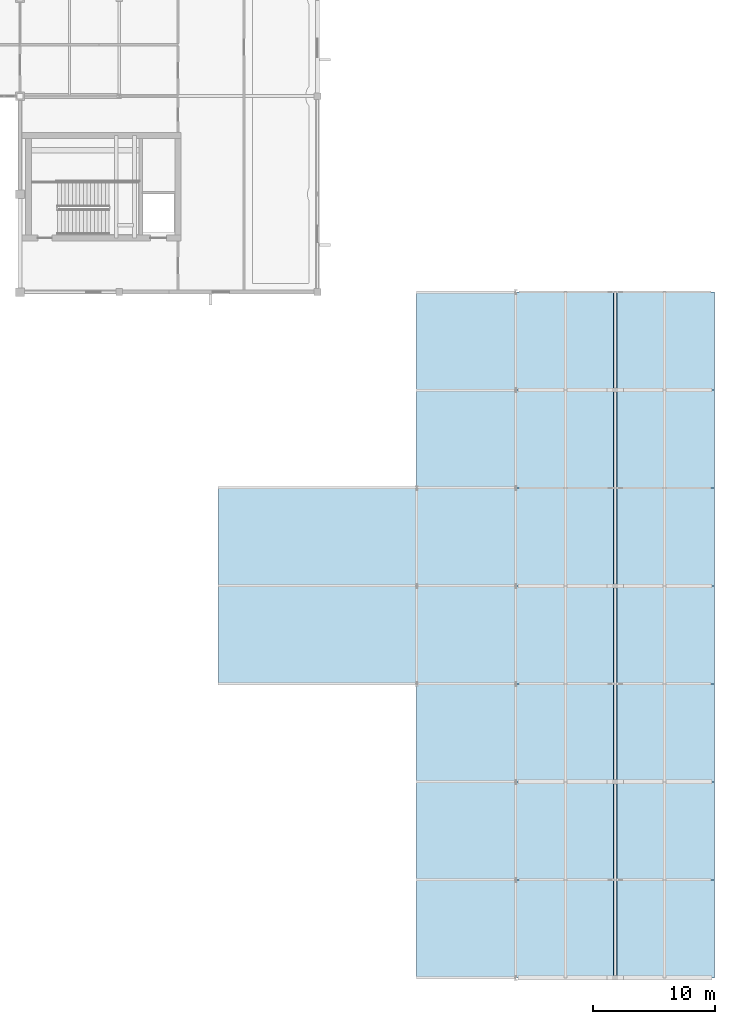
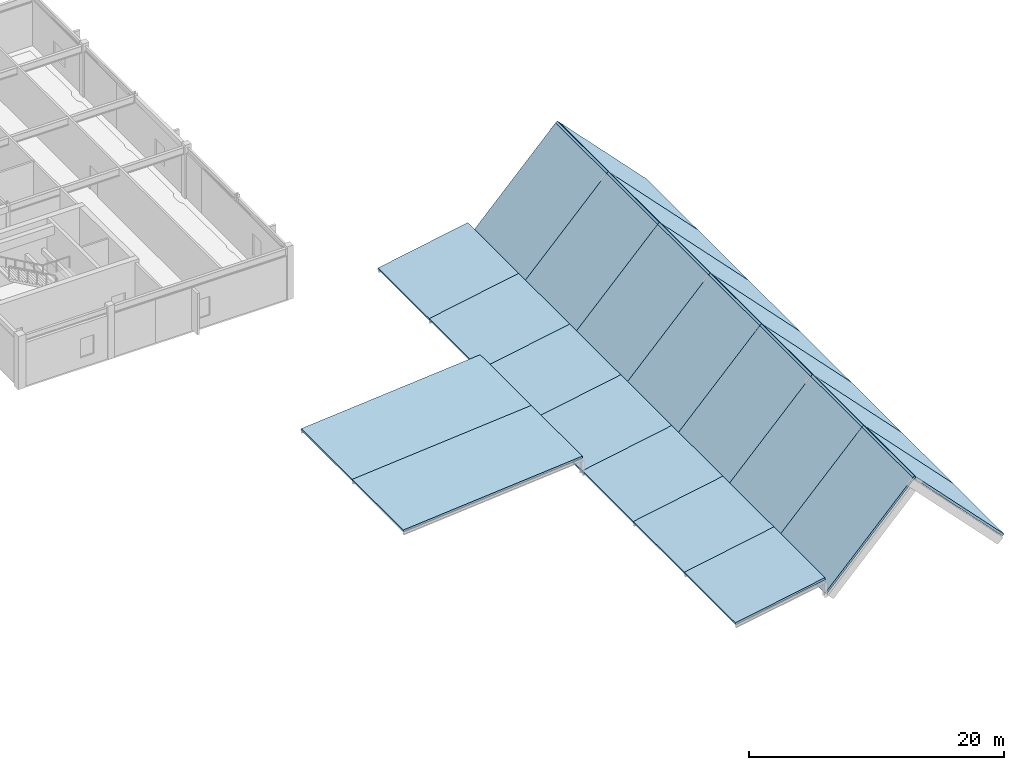
# One storey, part 81 of 107: 23 slabs.
"""IFC4 building model written with IfcOpenShell, lengths in metres."""

from ifc_helpers import new_model, si_unit, direction, frame, origin, place, context, subcontext, project, spatial, polyline, outline, extrude, material, layer, layer_set, type_object, element, save


model = new_model("IFC4")

# Units and contexts
model_context = context("Model", 3, precision=1e-05, world=origin(), true_north=direction((0.0, 1.0)))
body_context = subcontext(model_context, "Body", "Model", "MODEL_VIEW")
ifc_project = project(units=[si_unit("LENGTHUNIT", "METRE"), si_unit("AREAUNIT", "SQUARE_METRE"), si_unit("VOLUMEUNIT", "CUBIC_METRE"), si_unit("PLANEANGLEUNIT", "RADIAN"), si_unit("MASSUNIT", "GRAM", prefix="KILO")], contexts=[model_context])

# Site, building, storey
site_placement = place(None, origin())
site = spatial("IfcSite", under=ifc_project, at=site_placement, CompositionType="ELEMENT")
building_placement = place(site_placement, origin())
building = spatial("IfcBuilding", under=site, at=building_placement, Name="Tarnveldt Square Police Headquarters", CompositionType="ELEMENT")
storey_placement = place(building_placement, frame((0.0, 0.0, 14.699951171875)))
storey = spatial("IfcBuildingStorey", under=building, at=storey_placement, Name="L03", CompositionType="ELEMENT", Elevation=14.699951171875)

# Slabs
ifc_material = material(Name="Precast concrete 35 MPa", Category="concrete")
ifc_layer_1 = layer(ifc_material, 0.199951171875)
ifc_layer_set_1 = layer_set([ifc_layer_1], Name="Precast concrete 35 MPa")
slab_type_1 = type_object("IfcSlabType", Name="SL-GABLE-200", PredefinedType="ROOF", material=ifc_layer_set_1)
slab_1_placement = place(storey_placement, frame((145.800048828125, 0.0, 0.0), z_axis=(-0.719856616081, 0.0, 0.694122793377), x_axis=(0.0, 1.0, 0.0)))
element("IfcSlab", 1, at=slab_1_placement, inside=storey, type_object=slab_type_1, Name="East Gabled Hall Snow-Shedding Roof West Slope 1", PredefinedType="ROOF", context=body_context, shape_type="SweptSolid", body=[
    extrude(outline(polyline([(0.0, 0.0), (8.0, 0.0), (8.0, -11.669193971030747), (0.0, -11.669193971030747), (0.0, 0.0)])), origin(), (0.0, 0.0, -1.0), 0.199951171875),
])
slab_2_placement = place(storey_placement, frame((153.89990234375, 0.0, 8.400146484375), z_axis=(0.719846162175, 0.0, 0.694133634686), x_axis=(0.0, 1.0, 0.0)))
element("IfcSlab", 2, at=slab_2_placement, inside=storey, type_object=slab_type_1, Name="East Gabled Hall Snow-Shedding Roof East Slope 1", PredefinedType="ROOF", context=body_context, shape_type="SweptSolid", body=[
    extrude(outline(polyline([(0.0, 0.0), (8.0, 0.0), (8.0, -11.669363435926762), (0.0, -11.669363435926762), (0.0, 0.0)])), origin(), (0.0, 0.0, -1.0), 0.199951171875),
])
slab_3_placement = place(storey_placement, frame((137.699951171875, 0.0, 0.0), z_axis=(-0.182087137668, 0.0, 0.98328239804), x_axis=(0.0, 1.0, 0.0)))
element("IfcSlab", 3, at=slab_3_placement, inside=storey, type_object=slab_type_1, Name="East Hall Support Spine Shed Roof 1", PredefinedType="ROOF", context=body_context, shape_type="SweptSolid", body=[
    extrude(outline(polyline([(0.0, 0.0), (8.0, 0.0), (8.0, -8.23781415430008), (0.0, -8.23781415430008), (0.0, 0.0)])), origin(), (0.0, 0.0, -1.0), 0.199951171875),
])
slab_4_placement = place(storey_placement, frame((145.800048828125, 8.0, 0.0), z_axis=(-0.719856616081, 0.0, 0.694122793377), x_axis=(0.0, 1.0, 0.0)))
element("IfcSlab", 4, at=slab_4_placement, inside=storey, type_object=slab_type_1, Name="East Gabled Hall Snow-Shedding Roof West Slope 2", PredefinedType="ROOF", context=body_context, shape_type="SweptSolid", body=[
    extrude(outline(polyline([(0.0, 0.0), (8.0, 0.0), (8.0, -11.669193971030747), (0.0, -11.669193971030747), (0.0, 0.0)])), origin(), (0.0, 0.0, -1.0), 0.199951171875),
])
slab_5_placement = place(storey_placement, frame((153.89990234375, 8.0, 8.400146484375), z_axis=(0.719846162175, 0.0, 0.694133634686), x_axis=(0.0, 1.0, 0.0)))
element("IfcSlab", 5, at=slab_5_placement, inside=storey, type_object=slab_type_1, Name="East Gabled Hall Snow-Shedding Roof East Slope 2", PredefinedType="ROOF", context=body_context, shape_type="SweptSolid", body=[
    extrude(outline(polyline([(0.0, 0.0), (8.0, 0.0), (8.0, -11.669363435926762), (0.0, -11.669363435926762), (0.0, 0.0)])), origin(), (0.0, 0.0, -1.0), 0.199951171875),
])
slab_6_placement = place(storey_placement, frame((137.699951171875, 8.0, 0.0), z_axis=(-0.182087137668, 0.0, 0.98328239804), x_axis=(0.0, 1.0, 0.0)))
element("IfcSlab", 6, at=slab_6_placement, inside=storey, type_object=slab_type_1, Name="East Hall Support Spine Shed Roof 2", PredefinedType="ROOF", context=body_context, shape_type="SweptSolid", body=[
    extrude(outline(polyline([(0.0, 0.0), (8.0, 0.0), (8.0, -8.23781415430008), (0.0, -8.23781415430008), (0.0, 0.0)])), origin(), (0.0, 0.0, -1.0), 0.199951171875),
])
slab_7_placement = place(storey_placement, frame((145.800048828125, 16.0, 0.0), z_axis=(-0.719856616081, 0.0, 0.694122793377), x_axis=(0.0, 1.0, 0.0)))
element("IfcSlab", 7, at=slab_7_placement, inside=storey, type_object=slab_type_1, Name="East Gabled Hall Snow-Shedding Roof West Slope 3", PredefinedType="ROOF", context=body_context, shape_type="SweptSolid", body=[
    extrude(outline(polyline([(0.0, 0.0), (8.0, 0.0), (8.0, -11.669193971030747), (0.0, -11.669193971030747), (0.0, 0.0)])), origin(), (0.0, 0.0, -1.0), 0.199951171875),
])
slab_8_placement = place(storey_placement, frame((153.89990234375, 16.0, 8.400146484375), z_axis=(0.719846162175, 0.0, 0.694133634686), x_axis=(0.0, 1.0, 0.0)))
element("IfcSlab", 8, at=slab_8_placement, inside=storey, type_object=slab_type_1, Name="East Gabled Hall Snow-Shedding Roof East Slope 3", PredefinedType="ROOF", context=body_context, shape_type="SweptSolid", body=[
    extrude(outline(polyline([(0.0, 0.0), (8.0, 0.0), (8.0, -11.669363435926762), (0.0, -11.669363435926762), (0.0, 0.0)])), origin(), (0.0, 0.0, -1.0), 0.199951171875),
])
slab_9_placement = place(storey_placement, frame((137.699951171875, 16.0, 0.0), z_axis=(-0.182087137668, 0.0, 0.98328239804), x_axis=(0.0, 1.0, 0.0)))
element("IfcSlab", 9, at=slab_9_placement, inside=storey, type_object=slab_type_1, Name="East Hall Support Spine Shed Roof 3", PredefinedType="ROOF", context=body_context, shape_type="SweptSolid", body=[
    extrude(outline(polyline([(0.0, 0.0), (8.0, 0.0), (8.0, -8.23781415430008), (0.0, -8.23781415430008), (0.0, 0.0)])), origin(), (0.0, 0.0, -1.0), 0.199951171875),
])
slab_10_placement = place(storey_placement, frame((145.800048828125, 24.0, 0.0), z_axis=(-0.719856616081, 0.0, 0.694122793377), x_axis=(0.0, 1.0, 0.0)))
element("IfcSlab", 10, at=slab_10_placement, inside=storey, type_object=slab_type_1, Name="East Gabled Hall Snow-Shedding Roof West Slope 4", PredefinedType="ROOF", context=body_context, shape_type="SweptSolid", body=[
    extrude(outline(polyline([(0.0, 0.0), (8.0, 0.0), (8.0, -11.669193971030747), (0.0, -11.669193971030747), (0.0, 0.0)])), origin(), (0.0, 0.0, -1.0), 0.199951171875),
])
slab_11_placement = place(storey_placement, frame((153.89990234375, 24.0, 8.400146484375), z_axis=(0.719846162175, 0.0, 0.694133634686), x_axis=(0.0, 1.0, 0.0)))
element("IfcSlab", 11, at=slab_11_placement, inside=storey, type_object=slab_type_1, Name="East Gabled Hall Snow-Shedding Roof East Slope 4", PredefinedType="ROOF", context=body_context, shape_type="SweptSolid", body=[
    extrude(outline(polyline([(0.0, 0.0), (8.0, 0.0), (8.0, -11.669363435926762), (0.0, -11.669363435926762), (0.0, 0.0)])), origin(), (0.0, 0.0, -1.0), 0.199951171875),
])
slab_12_placement = place(storey_placement, frame((137.699951171875, 24.0, 0.0), z_axis=(-0.182087137668, 0.0, 0.98328239804), x_axis=(0.0, 1.0, 0.0)))
element("IfcSlab", 12, at=slab_12_placement, inside=storey, type_object=slab_type_1, Name="East Hall Support Spine Shed Roof 4", PredefinedType="ROOF", context=body_context, shape_type="SweptSolid", body=[
    extrude(outline(polyline([(0.0, 0.0), (8.0, 0.0), (8.0, -8.23781415430008), (0.0, -8.23781415430008), (0.0, 0.0)])), origin(), (0.0, 0.0, -1.0), 0.199951171875),
])
slab_13_placement = place(storey_placement, frame((145.800048828125, 32.0, 0.0), z_axis=(-0.719856616081, 0.0, 0.694122793377), x_axis=(0.0, 1.0, 0.0)))
element("IfcSlab", 13, at=slab_13_placement, inside=storey, type_object=slab_type_1, Name="East Gabled Hall Snow-Shedding Roof West Slope 5", PredefinedType="ROOF", context=body_context, shape_type="SweptSolid", body=[
    extrude(outline(polyline([(0.0, 0.0), (8.0, 0.0), (8.0, -11.669193971030747), (0.0, -11.669193971030747), (0.0, 0.0)])), origin(), (0.0, 0.0, -1.0), 0.199951171875),
])
slab_14_placement = place(storey_placement, frame((153.89990234375, 32.0, 8.400146484375), z_axis=(0.719846162175, 0.0, 0.694133634686), x_axis=(0.0, 1.0, 0.0)))
element("IfcSlab", 14, at=slab_14_placement, inside=storey, type_object=slab_type_1, Name="East Gabled Hall Snow-Shedding Roof East Slope 5", PredefinedType="ROOF", context=body_context, shape_type="SweptSolid", body=[
    extrude(outline(polyline([(0.0, 0.0), (8.0, 0.0), (8.0, -11.669363435926762), (0.0, -11.669363435926762), (0.0, 0.0)])), origin(), (0.0, 0.0, -1.0), 0.199951171875),
])
slab_15_placement = place(storey_placement, frame((137.699951171875, 32.0, 0.0), z_axis=(-0.182087137668, 0.0, 0.98328239804), x_axis=(0.0, 1.0, 0.0)))
element("IfcSlab", 15, at=slab_15_placement, inside=storey, type_object=slab_type_1, Name="East Hall Support Spine Shed Roof 5", PredefinedType="ROOF", context=body_context, shape_type="SweptSolid", body=[
    extrude(outline(polyline([(0.0, 0.0), (8.0, 0.0), (8.0, -8.23781415430008), (0.0, -8.23781415430008), (0.0, 0.0)])), origin(), (0.0, 0.0, -1.0), 0.199951171875),
])
slab_16_placement = place(storey_placement, frame((145.800048828125, 40.0, 0.0), z_axis=(-0.719856616081, 0.0, 0.694122793377), x_axis=(0.0, 1.0, 0.0)))
element("IfcSlab", 16, at=slab_16_placement, inside=storey, type_object=slab_type_1, Name="East Gabled Hall Snow-Shedding Roof West Slope 6", PredefinedType="ROOF", context=body_context, shape_type="SweptSolid", body=[
    extrude(outline(polyline([(0.0, 0.0), (8.0, 0.0), (8.0, -11.669193971030747), (0.0, -11.669193971030747), (0.0, 0.0)])), origin(), (0.0, 0.0, -1.0), 0.199951171875),
])
slab_17_placement = place(storey_placement, frame((153.89990234375, 40.0, 8.400146484375), z_axis=(0.719846162175, 0.0, 0.694133634686), x_axis=(0.0, 1.0, 0.0)))
element("IfcSlab", 17, at=slab_17_placement, inside=storey, type_object=slab_type_1, Name="East Gabled Hall Snow-Shedding Roof East Slope 6", PredefinedType="ROOF", context=body_context, shape_type="SweptSolid", body=[
    extrude(outline(polyline([(0.0, 0.0), (8.0, 0.0), (8.0, -11.669363435926762), (0.0, -11.669363435926762), (0.0, 0.0)])), origin(), (0.0, 0.0, -1.0), 0.199951171875),
])
slab_18_placement = place(storey_placement, frame((137.699951171875, 40.0, 0.0), z_axis=(-0.182087137668, 0.0, 0.98328239804), x_axis=(0.0, 1.0, 0.0)))
element("IfcSlab", 18, at=slab_18_placement, inside=storey, type_object=slab_type_1, Name="East Hall Support Spine Shed Roof 6", PredefinedType="ROOF", context=body_context, shape_type="SweptSolid", body=[
    extrude(outline(polyline([(0.0, 0.0), (8.0, 0.0), (8.0, -8.23781415430008), (0.0, -8.23781415430008), (0.0, 0.0)])), origin(), (0.0, 0.0, -1.0), 0.199951171875),
])
slab_19_placement = place(storey_placement, frame((145.800048828125, 48.0, 0.0), z_axis=(-0.719856616081, 0.0, 0.694122793377), x_axis=(0.0, 1.0, 0.0)))
element("IfcSlab", 19, at=slab_19_placement, inside=storey, type_object=slab_type_1, Name="East Gabled Hall Snow-Shedding Roof West Slope 7", PredefinedType="ROOF", context=body_context, shape_type="SweptSolid", body=[
    extrude(outline(polyline([(0.0, 0.0), (8.0, 0.0), (8.0, -11.669193971030747), (0.0, -11.669193971030747), (0.0, 0.0)])), origin(), (0.0, 0.0, -1.0), 0.199951171875),
])
slab_20_placement = place(storey_placement, frame((153.89990234375, 48.0, 8.400146484375), z_axis=(0.719846162175, 0.0, 0.694133634686), x_axis=(0.0, 1.0, 0.0)))
element("IfcSlab", 20, at=slab_20_placement, inside=storey, type_object=slab_type_1, Name="East Gabled Hall Snow-Shedding Roof East Slope 7", PredefinedType="ROOF", context=body_context, shape_type="SweptSolid", body=[
    extrude(outline(polyline([(0.0, 0.0), (8.0, 0.0), (8.0, -11.669363435926762), (0.0, -11.669363435926762), (0.0, 0.0)])), origin(), (0.0, 0.0, -1.0), 0.199951171875),
])
slab_21_placement = place(storey_placement, frame((137.699951171875, 48.0, 0.0), z_axis=(-0.182087137668, 0.0, 0.98328239804), x_axis=(0.0, 1.0, 0.0)))
element("IfcSlab", 21, at=slab_21_placement, inside=storey, type_object=slab_type_1, Name="East Hall Support Spine Shed Roof 7", PredefinedType="ROOF", context=body_context, shape_type="SweptSolid", body=[
    extrude(outline(polyline([(0.0, 0.0), (8.0, 0.0), (8.0, -8.23781415430008), (0.0, -8.23781415430008), (0.0, 0.0)])), origin(), (0.0, 0.0, -1.0), 0.199951171875),
])
ifc_layer_2 = layer(ifc_material, 0.18994140625)
ifc_layer_set_2 = layer_set([ifc_layer_2], Name="Precast concrete 35 MPa")
slab_type_2 = type_object("IfcSlabType", Name="SL-PITCH-190", PredefinedType="ROOF", material=ifc_layer_set_2)
for number, where, z_axis, x_axis, name in (
    (22, (121.5, 24.0, 0.0), (-0.086108041467, 0.0, 0.996285804975), (0.0, 1.0, 0.0), "East Hall Foyer Link Pitched Roof 1"),
    (23, (121.5, 32.0, 0.0), (-0.086108041467, 0.0, 0.996285804975), (0.0, 1.0, 0.0), "East Hall Foyer Link Pitched Roof 2"),
):
    element("IfcSlab", number, at=place(storey_placement, frame(where, z_axis=z_axis, x_axis=x_axis)), inside=storey, type_object=slab_type_2, Name=name, PredefinedType="ROOF", context=body_context, shape_type="SweptSolid", body=[
        extrude(outline(polyline([(0.0, 0.0), (8.0, 0.0), (8.0, -16.260345265363892), (0.0, -16.260345265363892), (0.0, 0.0)])), origin(), (0.0, 0.0, -1.0), 0.18994140625),
    ])

save(model, "model.ifc")
